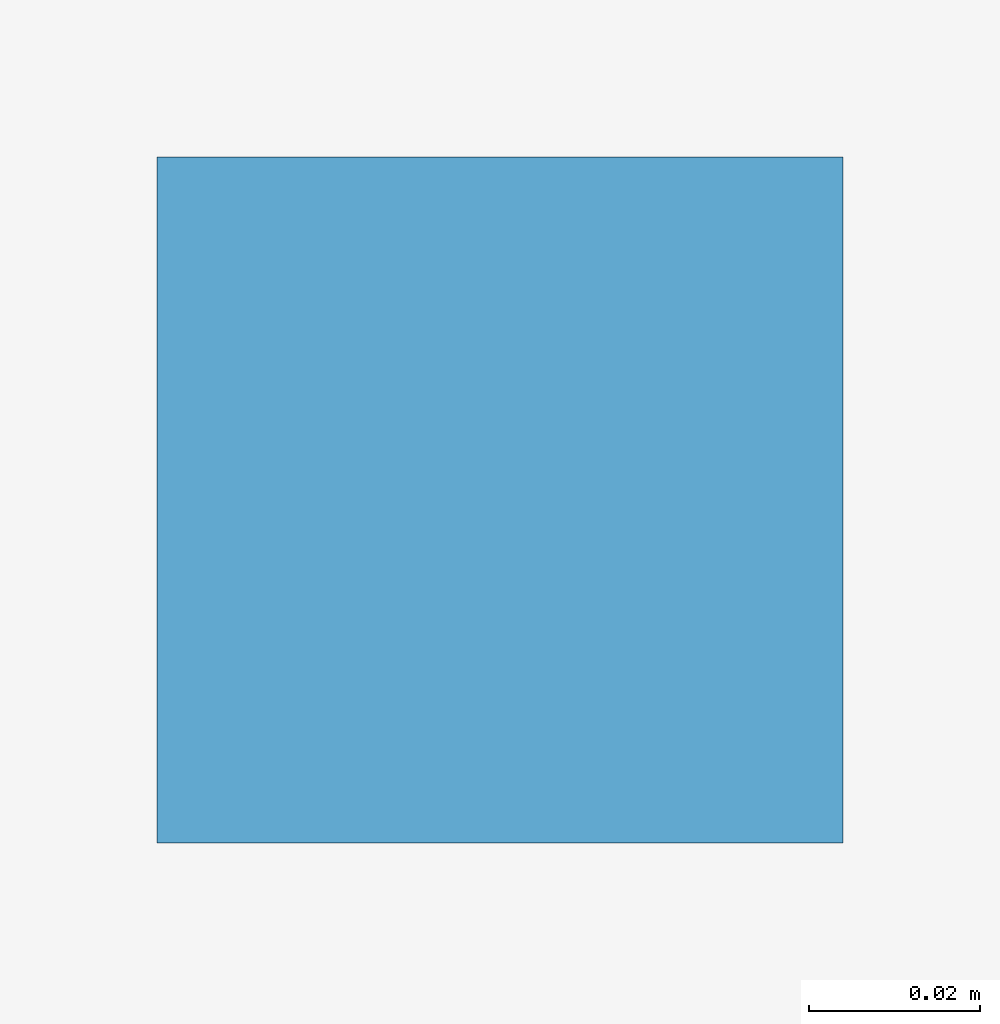
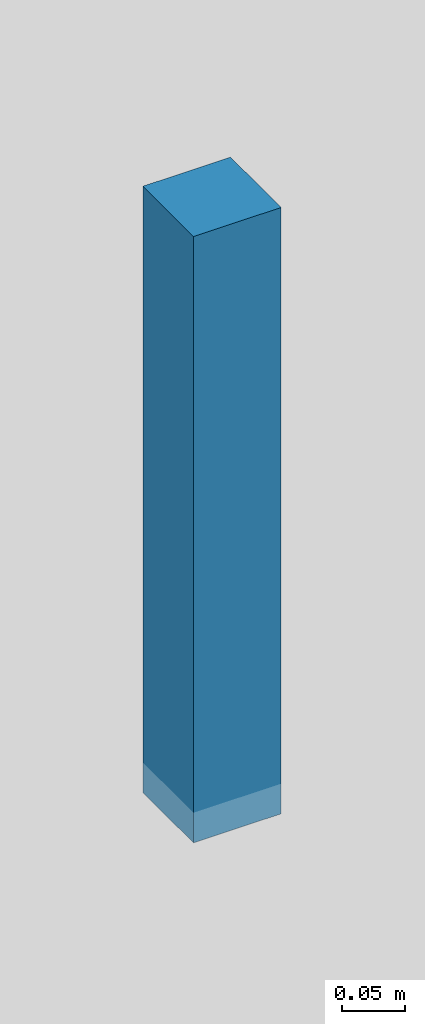
# One storey, part 11 of 15: 1 discrete accessory.
"""IFC4 building model written with IfcOpenShell, lengths in metres."""

from ifc_helpers import new_model, si_unit, direction, frame, origin, origin_2d, place, context, subcontext, project, spatial, rectangle, extrude, source, transform, mapped, material, type_object, element, save


model = new_model("IFC4")

# Units and contexts
model_context = context("Model", 3, precision=1e-05, world=origin(), true_north=direction((0.0, 1.0)))
body_context = subcontext(model_context, "Body", "Model", "MODEL_VIEW")
ifc_project = project(units=[si_unit("LENGTHUNIT", "METRE"), si_unit("AREAUNIT", "SQUARE_METRE"), si_unit("VOLUMEUNIT", "CUBIC_METRE"), si_unit("PLANEANGLEUNIT", "RADIAN"), si_unit("MASSUNIT", "GRAM", prefix="KILO")], contexts=[model_context])

# Site, building, storey
site_placement = place(None, origin())
site = spatial("IfcSite", under=ifc_project, at=site_placement, CompositionType="ELEMENT")
building_placement = place(site_placement, origin())
building = spatial("IfcBuilding", under=site, at=building_placement, Name="Giltprow Tower", CompositionType="ELEMENT")
storey_placement = place(building_placement, frame((0.0, 0.0, 300.60009765625)))
storey = spatial("IfcBuildingStorey", under=building, at=storey_placement, Name="L77", CompositionType="ELEMENT", Elevation=300.60009765625)

# Discrete accessory
ifc_material = material(Name="Structural steel Q355B", Category="steel")
discrete_accessory_type = type_object("IfcDiscreteAccessoryType", Name="ACC-CLG-HANGER", PredefinedType="BRACKET", material=ifc_material)
shared_shape = source(origin(), body_context, "Body", "SweptSolid", [
    extrude(rectangle(XDim=0.080078125, YDim=0.080078125, at=origin_2d()), origin(), (0.0, 0.0, 1.0), 0.5849609375),
])
discrete_accessory_placement = place(storey_placement, frame((35.0, 35.77490234375, 2.620361328125), z_axis=(0.0, 0.0, 1.0), x_axis=(1.0, 0.0, 0.0)))
element("IfcDiscreteAccessory", 1, at=discrete_accessory_placement, inside=storey, type_object=discrete_accessory_type, Name="L77 Residence Gallery Ceiling Suspension Hanger", PredefinedType="BRACKET", context=body_context, shape_type="MappedRepresentation", body=[
    mapped(shared_shape, transform((0.0, 0.0, 0.0), x_axis=(1.0, 0.0, 0.0), y_axis=(0.0, 1.0, 0.0), z_axis=(0.0, 0.0, 1.0), scale=1.0)),
])

save(model, "model.ifc")
